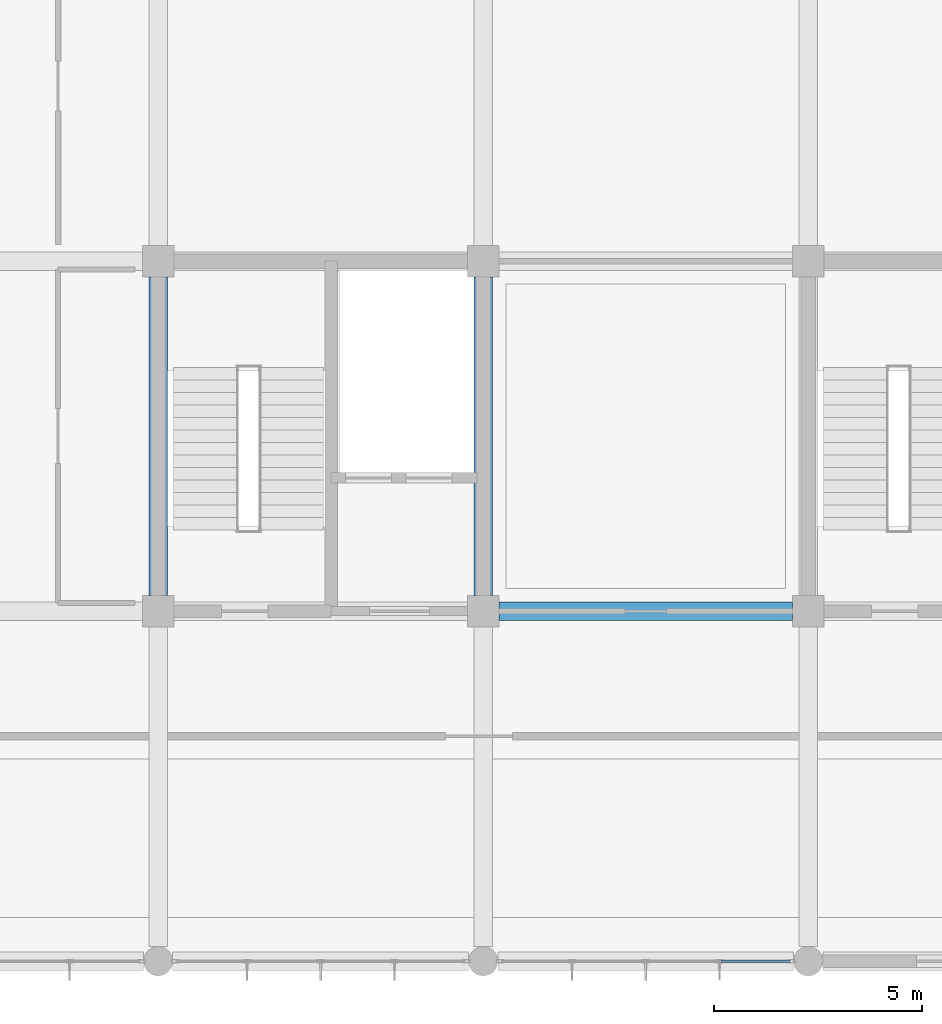
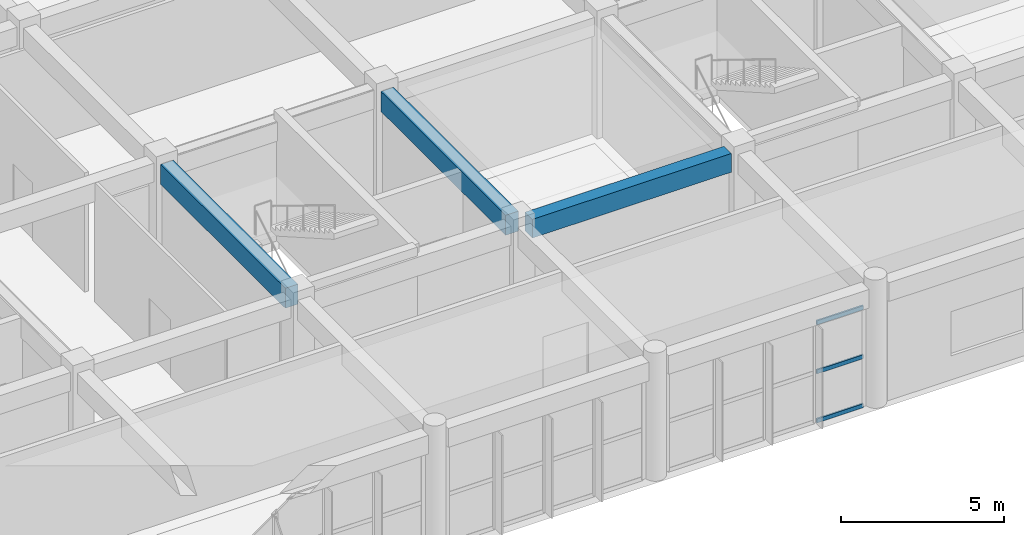
# One storey, part 26 of 167: 3 beams, 3 members, 1 element without a shape of its own.
"""IFC4 building model written with IfcOpenShell, lengths in metres."""

from ifc_helpers import new_model, si_unit, direction, frame, origin, origin_2d, place, context, subcontext, project, spatial, rectangle, hollow_rectangle, extrude, material, layer, layer_set, material_profile, profile_set, type_object, element, aggregate, save


model = new_model("IFC4")

# Units and contexts
model_context = context("Model", 3, precision=1e-05, world=origin(), true_north=direction((0.0, 1.0)))
body_context = subcontext(model_context, "Body", "Model", "MODEL_VIEW")
ifc_project = project(units=[si_unit("LENGTHUNIT", "METRE"), si_unit("AREAUNIT", "SQUARE_METRE"), si_unit("VOLUMEUNIT", "CUBIC_METRE"), si_unit("PLANEANGLEUNIT", "RADIAN"), si_unit("MASSUNIT", "GRAM", prefix="KILO")], contexts=[model_context])

# Site, building, storey
site_placement = place(None, origin())
site = spatial("IfcSite", under=ifc_project, at=site_placement, CompositionType="ELEMENT")
building_placement = place(site_placement, origin())
building = spatial("IfcBuilding", under=site, at=building_placement, Name="Zizhar Promenade General Hospital", CompositionType="ELEMENT")
storey_placement = place(building_placement, frame((0.0, 0.0, 9.60009765625)))
storey = spatial("IfcBuildingStorey", under=building, at=storey_placement, Name="L02", CompositionType="ELEMENT", Elevation=9.60009765625)

# Beams
ifc_material_1 = material(Name="Concrete C35/45", Category="concrete")
ifc_material_profile_1 = material_profile(ifc_material_1, rectangle(XDim=0.449951171875, YDim=0.699951171875, at=origin_2d()))
ifc_profile_set_1 = profile_set([ifc_material_profile_1], Name="Concrete C35/45")
beam_type_1 = type_object("IfcBeamType", Name="BM-RC-450x700", PredefinedType="BEAM", material=ifc_profile_set_1)
beam_placement = place(storey_placement, frame((70.574951171875, 8.39990234375, 4.119873046875), z_axis=(1.0, 0.0, 0.0), x_axis=(0.0, 1.0, 0.0)))
element("IfcBeam", 1, at=beam_placement, inside=storey, type_object=beam_type_1, Name="Grid Beam X L02 (9-1)", PredefinedType="BEAM", context=body_context, shape_type="SweptSolid", body=[
    extrude(rectangle(XDim=0.449951171875, YDim=0.699951171875, at=origin_2d()), origin(), (0.0, 0.0, 1.0), 7.050048828125),
])
ifc_material_2 = material(Name="Concrete C35/45", Category="concrete")
ifc_material_profile_2 = material_profile(ifc_material_2, rectangle(XDim=0.449951171875, YDim=0.75, at=origin_2d()))
ifc_profile_set_2 = profile_set([ifc_material_profile_2], Name="Concrete C35/45")
beam_type_2 = type_object("IfcBeamType", Name="BM-RC-450x750", PredefinedType="BEAM", material=ifc_profile_set_2)
for number, where, z_axis, x_axis, name in (
    (2, (62.39990234375, 8.77490234375, 4.094970703125), (0.0, 1.0, 0.0), (-1.0, 0.0, 0.0), "Grid Beam Y L02 (8-1)"),
    (3, (70.199951171875, 8.77490234375, 4.094970703125), (0.0, 1.0, 0.0), (-1.0, 0.0, 0.0), "Grid Beam Y L02 (9-1)"),
):
    element("IfcBeam", number, at=place(storey_placement, frame(where, z_axis=z_axis, x_axis=x_axis)), inside=storey, type_object=beam_type_2, Name=name, PredefinedType="BEAM", context=body_context, shape_type="SweptSolid", body=[
        extrude(rectangle(XDim=0.449951171875, YDim=0.75, at=origin_2d()), origin(), (0.0, 0.0, 1.0), 7.650146484375),
    ])

# Curtain wall, members
ifc_material_3 = material(Name="Anodised aluminium 6063-T6 and low-E glass", Category="aluminium")
ifc_layer = layer(ifc_material_3, 0.159912109375)
ifc_layer_set = layer_set([ifc_layer], Name="Anodised aluminium 6063-T6 and low-E glass")
curtain_wall_type = type_object("IfcCurtainWallType", Name="CW-DT-MOD1", PredefinedType="NOTDEFINED", material=ifc_layer_set)
curtain_wall_placement = place(storey_placement, origin())
curtain_wall = element("IfcCurtainWall", 4, at=curtain_wall_placement, inside=storey, type_object=curtain_wall_type, Name="Riverfront Clinical Curtain Wall L02-8", PredefinedType="NOTDEFINED")
ifc_material_4 = material(Name="Anodised aluminium 6063-T6", Category="aluminium")
ifc_material_profile_3 = material_profile(ifc_material_4, hollow_rectangle(XDim=0.06005859375, YDim=0.14990234375, WallThickness=0.00390625, at=origin_2d()))
ifc_profile_set_3 = profile_set([ifc_material_profile_3], Name="Anodised aluminium 6063-T6")
member_type = type_object("IfcMemberType", Name="CWT-ALU-150x60", PredefinedType="USERDEFINED", material=ifc_profile_set_3)
member_1_placement = place(storey_placement, frame((77.56005859375, 0.0, 0.02978515625), z_axis=(-1.0, 0.0, 0.0), x_axis=(0.0, -1.0, 0.0)))
member_1 = element("IfcMember", 5, at=member_1_placement, type_object=member_type, Name="CW-07 transom 1.1", ObjectType="TRANSOM", PredefinedType="USERDEFINED", context=body_context, shape_type="SweptSolid", body=[
    extrude(hollow_rectangle(XDim=0.06005859375, YDim=0.14990234375, WallThickness=0.00390625, at=origin_2d()), origin(), (0.0, 0.0, 1.0), 1.650146484375),
])
member_2_placement = place(storey_placement, frame((77.56005859375, 0.0, 1.864990234375), z_axis=(-1.0, 0.0, 0.0), x_axis=(0.0, -1.0, 0.0)))
member_2 = element("IfcMember", 6, at=member_2_placement, type_object=member_type, Name="CW-07 transom 1.2", ObjectType="TRANSOM", PredefinedType="USERDEFINED", context=body_context, shape_type="SweptSolid", body=[
    extrude(hollow_rectangle(XDim=0.06005859375, YDim=0.14990234375, WallThickness=0.00390625, at=origin_2d()), origin(), (0.0, 0.0, 1.0), 1.650146484375),
])
member_3_placement = place(storey_placement, frame((77.56005859375, 0.0, 3.699951171875), z_axis=(-1.0, 0.0, 0.0), x_axis=(0.0, -1.0, 0.0)))
member_3 = element("IfcMember", 7, at=member_3_placement, type_object=member_type, Name="CW-07 transom 1.3", ObjectType="TRANSOM", PredefinedType="USERDEFINED", context=body_context, shape_type="SweptSolid", body=[
    extrude(hollow_rectangle(XDim=0.06005859375, YDim=0.14990234375, WallThickness=0.00390625, at=origin_2d()), origin(), (0.0, 0.0, 1.0), 1.650146484375),
])
aggregate(curtain_wall, [member_1, member_2, member_3])

save(model, "model.ifc")
